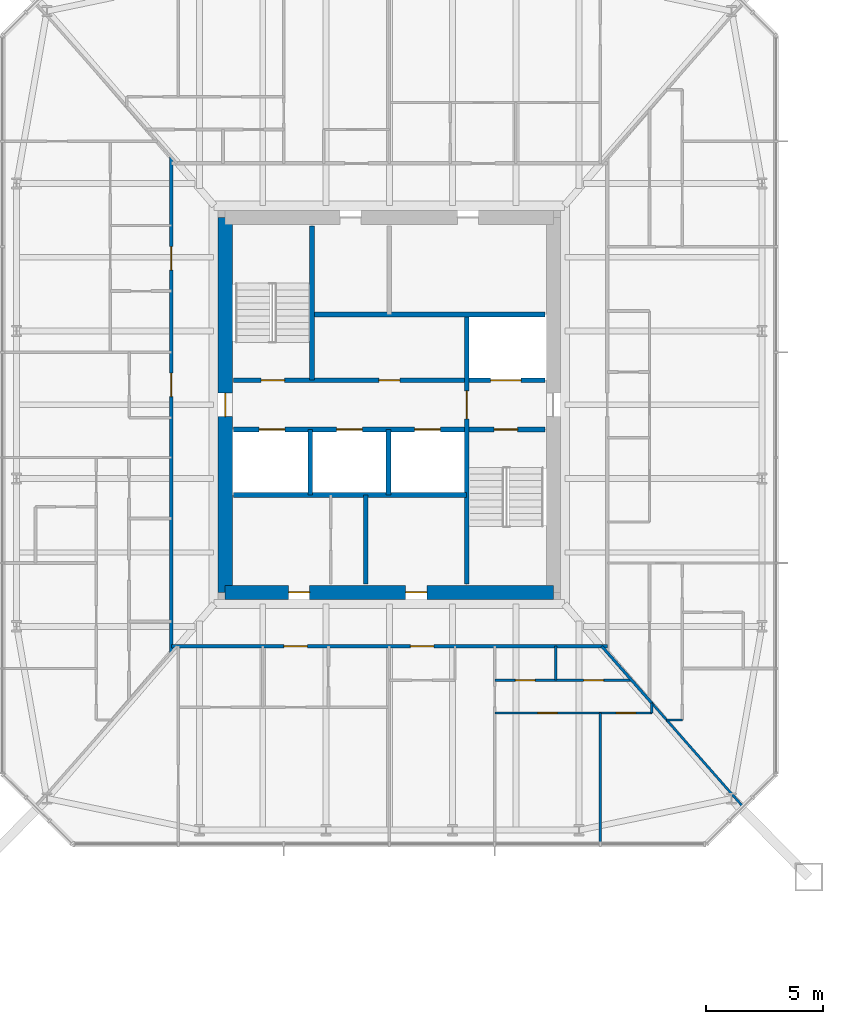
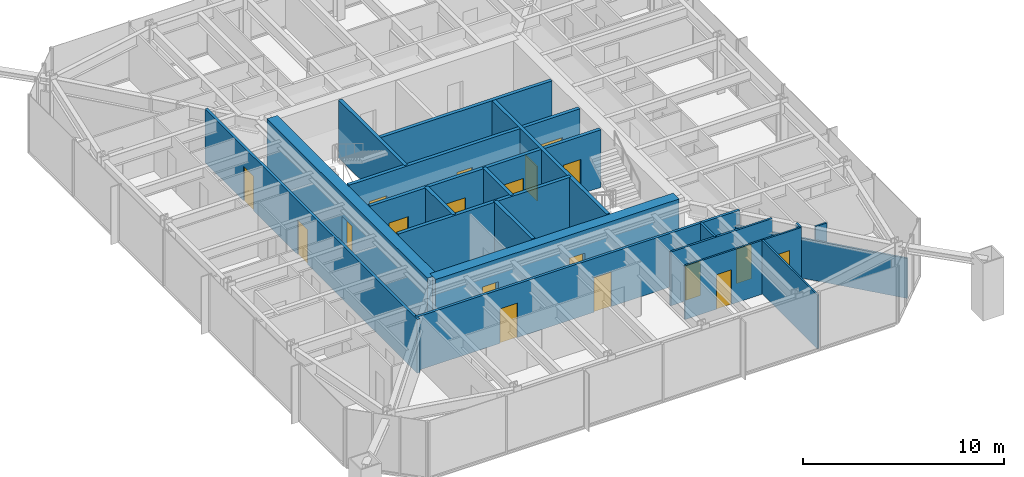
# One storey, part 19 of 26: 21 walls, 19 doors, 19 openings.
"""IFC4 building model written with IfcOpenShell, lengths in metres."""

from ifc_helpers import new_model, si_unit, direction, frame, frame_2d, origin, place, context, subcontext, project, spatial, rectangle, extrude, material, layer, layer_set, type_object, element, fill, save


model = new_model("IFC4")

# Units and contexts
model_context = context("Model", 3, precision=1e-05, world=origin(), true_north=direction((0.0, 1.0)))
body_context = subcontext(model_context, "Body", "Model", "MODEL_VIEW")
ifc_project = project(units=[si_unit("LENGTHUNIT", "METRE"), si_unit("AREAUNIT", "SQUARE_METRE"), si_unit("VOLUMEUNIT", "CUBIC_METRE"), si_unit("PLANEANGLEUNIT", "RADIAN"), si_unit("MASSUNIT", "GRAM", prefix="KILO")], contexts=[model_context])

# Site, building, storey
site_placement = place(None, origin())
site = spatial("IfcSite", under=ifc_project, at=site_placement, CompositionType="ELEMENT")
building_placement = place(site_placement, origin())
building = spatial("IfcBuilding", under=site, at=building_placement, Name="Iwan Alto Co-Living Towers", CompositionType="ELEMENT")
storey_placement = place(building_placement, frame((0.0, 0.0, 67.5)))
storey = spatial("IfcBuildingStorey", under=building, at=storey_placement, Name="L18", CompositionType="ELEMENT", Elevation=67.5)

# Wall, openings, doors
ifc_material_1 = material(Name="Gypsum board")
ifc_layer_1 = layer(ifc_material_1, 0.02490234375, Name="Board", Category="Finish")
ifc_material_2 = material(Name="Steel ASTM A1003 ST33H cold-formed studs", Category="steel")
ifc_layer_2 = layer(ifc_material_2, 0.10009765625, Name="Studs", Category="Framing")
ifc_layer_3 = layer(ifc_material_1, 0.02490234375, Name="Board", Category="Finish")
ifc_layer_set_1 = layer_set([ifc_layer_1, ifc_layer_2, ifc_layer_3], Name="CORRIDOR WALL 150")
wall_type_1 = type_object("IfcWallType", Name="CORRIDOR WALL 150", PredefinedType="PARTITIONING", material=ifc_layer_set_1)
wall_1_placement = place(storey_placement, frame((53.699951171875, -10.300048828125, 0.0), z_axis=(0.0, 0.0, 1.0), x_axis=(1.0, 0.0, 0.0)))
wall_1 = element("IfcWall", 1, at=wall_1_placement, inside=storey, type_object=wall_type_1, Name="Partition L18", PredefinedType="PARTITIONING", context=body_context, shape_type="SweptSolid", body=[
    extrude(rectangle(XDim=18.60009765625, YDim=0.14990234375, at=frame_2d((9.300048828125, 0.0))), origin(), (0.0, 0.0, 1.0), 3.27001953125),
])
opening_1_placement = place(wall_1_placement, frame((4.800048828125, 0.0, 0.0)))
opening_1 = element("IfcOpeningElement", 2, at=opening_1_placement, cuts=wall_1, Name="Opening D3", PredefinedType="OPENING", context=body_context, shape_type="SweptSolid", body=[
    extrude(rectangle(XDim=1.0, YDim=2.10009765625, at=frame_2d((0.5, 1.050048828125))), frame((0.0, 0.0849609375, 0.0), z_axis=(0.0, -1.0, 0.0), x_axis=(1.0, 0.0, 0.0)), (0.0, 0.0, 1.0), 0.169921875),
])
opening_2_placement = place(wall_1_placement, frame((10.199951171875, 0.0, 0.0)))
opening_2 = element("IfcOpeningElement", 3, at=opening_2_placement, cuts=wall_1, Name="Opening D3", PredefinedType="OPENING", context=body_context, shape_type="SweptSolid", body=[
    extrude(rectangle(XDim=1.0, YDim=2.10009765625, at=frame_2d((0.5, 1.050048828125))), frame((0.0, 0.0849609375, 0.0), z_axis=(0.0, -1.0, 0.0), x_axis=(1.0, 0.0, 0.0)), (0.0, 0.0, 1.0), 0.169921875),
])
ifc_material_3 = material(Name="Steel frame with timber leaf", Category="steel")
door_type_1 = type_object("IfcDoorType", Name="FLAT ENTRANCE DOOR FD30S 1000X2100", OperationType="SINGLE_SWING_LEFT", PredefinedType="DOOR", material=ifc_material_3)
door_1_placement = place(opening_1_placement, frame((1.0, 0.0, 0.0), z_axis=(0.0, 0.0, 1.0), x_axis=(-1.0, 0.0, 0.0)))
door_1 = element("IfcDoor", 4, at=door_1_placement, inside=storey, type_object=door_type_1, Name="Apartment foyer door L18", OperationType="SINGLE_SWING_RIGHT", OverallHeight=2.10009765625, OverallWidth=1.0, PredefinedType="DOOR", context=body_context, shape_type="SweptSolid", body=[
    extrude(rectangle(XDim=1.0, YDim=2.10009765625, at=frame_2d((0.5, 1.050048828125))), frame((0.0, 0.02490234375, 0.0), z_axis=(0.0, -1.0, 0.0), x_axis=(1.0, 0.0, 0.0)), (0.0, 0.0, 1.0), 0.050048828125),
])
fill(opening_1, door_1)
door_2_placement = place(opening_2_placement, frame((1.0, 0.0, 0.0), z_axis=(0.0, 0.0, 1.0), x_axis=(-1.0, 0.0, 0.0)))
door_2 = element("IfcDoor", 5, at=door_2_placement, inside=storey, type_object=door_type_1, Name="Apartment foyer door L18", OperationType="SINGLE_SWING_RIGHT", OverallHeight=2.10009765625, OverallWidth=1.0, PredefinedType="DOOR", context=body_context, shape_type="SweptSolid", body=[
    extrude(rectangle(XDim=1.0, YDim=2.10009765625, at=frame_2d((0.5, 1.050048828125))), frame((0.0, 0.02490234375, 0.0), z_axis=(0.0, -1.0, 0.0), x_axis=(1.0, 0.0, 0.0)), (0.0, 0.0, 1.0), 0.050048828125),
])
fill(opening_2, door_2)

wall_2_placement = place(storey_placement, frame((53.699951171875, -10.568115234375, 0.0), z_axis=(0.0, 0.0, 1.0), x_axis=(0.0, 1.0, 0.0)))
wall_2 = element("IfcWall", 6, at=wall_2_placement, inside=storey, type_object=wall_type_1, Name="Partition L18", PredefinedType="PARTITIONING", context=body_context, shape_type="SweptSolid", body=[
    extrude(rectangle(XDim=21.13623046875, YDim=0.14990234375, at=frame_2d((10.568115234375, 0.0))), origin(), (0.0, 0.0, 1.0), 3.27001953125),
])
opening_3_placement = place(wall_2_placement, frame((16.318115234375, 0.0, 0.0)))
opening_3 = element("IfcOpeningElement", 7, at=opening_3_placement, cuts=wall_2, Name="Opening D3", PredefinedType="OPENING", context=body_context, shape_type="SweptSolid", body=[
    extrude(rectangle(XDim=1.0, YDim=2.10009765625, at=frame_2d((0.5, 1.050048828125))), frame((0.0, 0.0849609375, 0.0), z_axis=(0.0, -1.0, 0.0), x_axis=(1.0, 0.0, 0.0)), (0.0, 0.0, 1.0), 0.169921875),
])
opening_4_placement = place(wall_2_placement, frame((10.91796875, 0.0, 0.0)))
opening_4 = element("IfcOpeningElement", 8, at=opening_4_placement, cuts=wall_2, Name="Opening D3", PredefinedType="OPENING", context=body_context, shape_type="SweptSolid", body=[
    extrude(rectangle(XDim=1.0, YDim=2.10009765625, at=frame_2d((0.5, 1.050048828125))), frame((0.0, 0.0849609375, 0.0), z_axis=(0.0, -1.0, 0.0), x_axis=(1.0, 0.0, 0.0)), (0.0, 0.0, 1.0), 0.169921875),
])
door_3_placement = place(opening_3_placement, origin())
door_3 = element("IfcDoor", 9, at=door_3_placement, inside=storey, type_object=door_type_1, Name="Apartment foyer door L18", OperationType="SINGLE_SWING_LEFT", OverallHeight=2.10009765625, OverallWidth=1.0, PredefinedType="DOOR", context=body_context, shape_type="SweptSolid", body=[
    extrude(rectangle(XDim=1.0, YDim=2.10009765625, at=frame_2d((0.5, 1.050048828125))), frame((0.0, 0.02490234375, 0.0), z_axis=(0.0, -1.0, 0.0), x_axis=(1.0, 0.0, 0.0)), (0.0, 0.0, 1.0), 0.050048828125),
])
fill(opening_3, door_3)
door_4_placement = place(opening_4_placement, origin())
door_4 = element("IfcDoor", 10, at=door_4_placement, inside=storey, type_object=door_type_1, Name="Apartment foyer door L18", OperationType="SINGLE_SWING_LEFT", OverallHeight=2.10009765625, OverallWidth=1.0, PredefinedType="DOOR", context=body_context, shape_type="SweptSolid", body=[
    extrude(rectangle(XDim=1.0, YDim=2.10009765625, at=frame_2d((0.5, 1.050048828125))), frame((0.0, 0.02490234375, 0.0), z_axis=(0.0, -1.0, 0.0), x_axis=(1.0, 0.0, 0.0)), (0.0, 0.0, 1.0), 0.050048828125),
])
fill(opening_4, door_4)

# Wall
ifc_layer_4 = layer(ifc_material_1, 0.012451171875, Name="Board", Category="Finish")
ifc_layer_5 = layer(ifc_material_2, 0.074951171875, Name="Studs", Category="Framing")
ifc_layer_6 = layer(ifc_material_1, 0.012451171875, Name="Board", Category="Finish")
ifc_layer_set_2 = layer_set([ifc_layer_4, ifc_layer_5, ifc_layer_6], Name="PARTITION 100")
wall_type_2 = type_object("IfcWallType", Name="PARTITION 100", PredefinedType="PARTITIONING", material=ifc_layer_set_2)
wall_3_placement = place(storey_placement, frame((74.8359375, -13.449951171875, 0.0), z_axis=(0.0, 0.0, 1.0), x_axis=(1.0, 0.0, 0.0)))
element("IfcWall", 11, at=wall_3_placement, inside=storey, type_object=wall_type_2, Name="Partition L18", PredefinedType="PARTITIONING", context=body_context, shape_type="SweptSolid", body=[
    extrude(rectangle(XDim=0.6640625, YDim=0.10009765625, at=frame_2d((0.33203125, 0.0))), origin(), (0.0, 0.0, 1.0), 3.27001953125),
])

# Wall, openings, doors
wall_4_placement = place(storey_placement, frame((67.5, -13.14990234375, 0.0), z_axis=(0.0, 0.0, 1.0), x_axis=(1.0, 0.0, 0.0)))
wall_4 = element("IfcWall", 12, at=wall_4_placement, inside=storey, type_object=wall_type_2, Name="Partition L18", PredefinedType="PARTITIONING", context=body_context, shape_type="SweptSolid", body=[
    extrude(rectangle(XDim=6.699951171875, YDim=0.10009765625, at=frame_2d((3.35009765625, 0.0))), origin(), (0.0, 0.0, 1.0), 3.27001953125),
])
opening_5_placement = place(wall_4_placement, frame((1.824951171875, 0.0, 0.0)))
opening_5 = element("IfcOpeningElement", 13, at=opening_5_placement, cuts=wall_4, Name="Opening D2", PredefinedType="OPENING", context=body_context, shape_type="SweptSolid", body=[
    extrude(rectangle(XDim=0.85009765625, YDim=2.10009765625, at=frame_2d((0.425048828125, 1.050048828125))), frame((0.0, 0.06005859375, 0.0), z_axis=(0.0, -1.0, 0.0), x_axis=(1.0, 0.0, 0.0)), (0.0, 0.0, 1.0), 0.1201171875),
])
opening_6_placement = place(wall_4_placement, frame((5.175048828125, 0.0, 0.0)))
opening_6 = element("IfcOpeningElement", 14, at=opening_6_placement, cuts=wall_4, Name="Opening D2", PredefinedType="OPENING", context=body_context, shape_type="SweptSolid", body=[
    extrude(rectangle(XDim=0.85009765625, YDim=2.10009765625, at=frame_2d((0.425048828125, 1.050048828125))), frame((0.0, 0.06005859375, 0.0), z_axis=(0.0, -1.0, 0.0), x_axis=(1.0, 0.0, 0.0)), (0.0, 0.0, 1.0), 0.1201171875),
])
ifc_material_4 = material(Name="Timber leaf in steel frame", Category="steel")
door_type_2 = type_object("IfcDoorType", Name="ROOM DOOR 850X2100", OperationType="SINGLE_SWING_LEFT", PredefinedType="DOOR", material=ifc_material_4)
door_5_placement = place(opening_5_placement, frame((0.85009765625, 0.0, 0.0), z_axis=(0.0, 0.0, 1.0), x_axis=(-1.0, 0.0, 0.0)))
door_5 = element("IfcDoor", 15, at=door_5_placement, inside=storey, type_object=door_type_2, Name="Study door L18", OperationType="SINGLE_SWING_RIGHT", OverallHeight=2.10009765625, OverallWidth=0.85009765625, PredefinedType="DOOR", context=body_context, shape_type="SweptSolid", body=[
    extrude(rectangle(XDim=0.85009765625, YDim=2.10009765625, at=frame_2d((0.425048828125, 1.050048828125))), frame((0.0, 0.02490234375, 0.0), z_axis=(0.0, -1.0, 0.0), x_axis=(1.0, 0.0, 0.0)), (0.0, 0.0, 1.0), 0.050048828125),
])
fill(opening_5, door_5)
door_6_placement = place(opening_6_placement, frame((0.85009765625, 0.0, 0.0), z_axis=(0.0, 0.0, 1.0), x_axis=(-1.0, 0.0, 0.0)))
door_6 = element("IfcDoor", 16, at=door_6_placement, inside=storey, type_object=door_type_2, Name="Bedroom door L18", OperationType="SINGLE_SWING_RIGHT", OverallHeight=2.10009765625, OverallWidth=0.85009765625, PredefinedType="DOOR", context=body_context, shape_type="SweptSolid", body=[
    extrude(rectangle(XDim=0.85009765625, YDim=2.10009765625, at=frame_2d((0.425048828125, 1.050048828125))), frame((0.0, 0.02490234375, 0.0), z_axis=(0.0, -1.0, 0.0), x_axis=(1.0, 0.0, 0.0)), (0.0, 0.0, 1.0), 0.050048828125),
])
fill(opening_6, door_6)

# Walls
wall_5_placement = place(storey_placement, frame((74.199951171875, -13.14990234375, 0.0), z_axis=(0.0, 0.0, 1.0), x_axis=(0.0, 1.0, 0.0)))
element("IfcWall", 17, at=wall_5_placement, inside=storey, type_object=wall_type_2, Name="Partition L18", PredefinedType="PARTITIONING", context=body_context, shape_type="SweptSolid", body=[
    extrude(rectangle(XDim=0.4228515625, YDim=0.10009765625, at=frame_2d((0.21142578125, 0.0))), origin(), (0.0, 0.0, 1.0), 3.27001953125),
])
wall_6_placement = place(storey_placement, frame((72.0, -18.68994140625, 0.0), z_axis=(0.0, 0.0, 1.0), x_axis=(0.0, 1.0, 0.0)))
element("IfcWall", 18, at=wall_6_placement, inside=storey, type_object=wall_type_2, Name="Partition L18", PredefinedType="PARTITIONING", context=body_context, shape_type="SweptSolid", body=[
    extrude(rectangle(XDim=5.5400390625, YDim=0.10009765625, at=frame_2d((2.77001953125, 0.0))), origin(), (0.0, 0.0, 1.0), 3.27001953125),
])
wall_7_placement = place(storey_placement, frame((78.056884765625, -17.109130859375, 0.0), z_axis=(0.0, 0.0, 1.0), x_axis=(-0.660698595885, 0.750651294141, 0.0)))
element("IfcWall", 19, at=wall_7_placement, inside=storey, type_object=wall_type_2, Name="Partition L18", PredefinedType="PARTITIONING", context=body_context, shape_type="SweptSolid", body=[
    extrude(rectangle(XDim=5.838134765625, YDim=0.10009765625, at=frame_2d((2.9189453125, 0.0))), origin(), (0.0, 0.0, 1.0), 2.42919921875),
])
ifc_material_5 = material(Name="Concrete f'c 70 MPa", Category="concrete")
ifc_layer_7 = layer(ifc_material_5, 0.199951171875)
ifc_layer_set_3 = layer_set([ifc_layer_7], Name="SHAFT WALL 200")
wall_type_3 = type_object("IfcWallType", Name="SHAFT WALL 200", PredefinedType="SOLIDWALL", material=ifc_layer_set_3)
wall_8_placement = place(storey_placement, frame((56.360107421875, -3.85009765625, 0.0), z_axis=(0.0, 0.0, 1.0), x_axis=(1.0, 0.0, 0.0)))
element("IfcWall", 20, at=wall_8_placement, inside=storey, type_object=wall_type_3, Name="Shaft wall L18", PredefinedType="SOLIDWALL", context=body_context, shape_type="SweptSolid", body=[
    extrude(rectangle(XDim=9.93994140625, YDim=0.199951171875, at=frame_2d((4.969970703125, 0.0))), origin(), (0.0, 0.0, 1.0), 3.5),
])

# Wall, openings, doors
wall_9_placement = place(storey_placement, frame((56.360107421875, -1.050048828125, 0.0), z_axis=(0.0, 0.0, 1.0), x_axis=(1.0, 0.0, 0.0)))
wall_9 = element("IfcWall", 21, at=wall_9_placement, inside=storey, type_object=wall_type_3, Name="Shaft wall L18", PredefinedType="SOLIDWALL", context=body_context, shape_type="SweptSolid", body=[
    extrude(rectangle(XDim=13.27978515625, YDim=0.199951171875, at=frame_2d((6.639892578125, 0.0))), origin(), (0.0, 0.0, 1.0), 3.5),
])
opening_7_placement = place(wall_9_placement, frame((11.110107421875, 0.0, 0.0)))
opening_7 = element("IfcOpeningElement", 22, at=opening_7_placement, cuts=wall_9, Name="Opening D5", PredefinedType="OPENING", context=body_context, shape_type="SweptSolid", body=[
    extrude(rectangle(XDim=1.0, YDim=2.10009765625, at=frame_2d((0.5, 1.050048828125))), frame((0.0, 0.10986328125, 0.0), z_axis=(0.0, -1.0, 0.0), x_axis=(1.0, 0.0, 0.0)), (0.0, 0.0, 1.0), 0.219970703125),
])
opening_8_placement = place(wall_9_placement, frame((1.0869140625, 0.0, 0.0)))
opening_8 = element("IfcOpeningElement", 23, at=opening_8_placement, cuts=wall_9, Name="Opening LD", PredefinedType="OPENING", context=body_context, shape_type="SweptSolid", body=[
    extrude(rectangle(XDim=1.10009765625, YDim=2.10009765625, at=frame_2d((0.550048828125, 1.050048828125))), frame((0.0, 0.10986328125, 0.0), z_axis=(0.0, -1.0, 0.0), x_axis=(1.0, 0.0, 0.0)), (0.0, 0.0, 1.0), 0.219970703125),
])
opening_9_placement = place(wall_9_placement, frame((4.389892578125, 0.0, 0.0)))
opening_9 = element("IfcOpeningElement", 24, at=opening_9_placement, cuts=wall_9, Name="Opening LD", PredefinedType="OPENING", context=body_context, shape_type="SweptSolid", body=[
    extrude(rectangle(XDim=1.10009765625, YDim=2.10009765625, at=frame_2d((0.550048828125, 1.050048828125))), frame((0.0, 0.10986328125, 0.0), z_axis=(0.0, -1.0, 0.0), x_axis=(1.0, 0.0, 0.0)), (0.0, 0.0, 1.0), 0.219970703125),
])
opening_10_placement = place(wall_9_placement, frame((7.72412109375, 0.0, 0.0)))
opening_10 = element("IfcOpeningElement", 25, at=opening_10_placement, cuts=wall_9, Name="Opening LD", PredefinedType="OPENING", context=body_context, shape_type="SweptSolid", body=[
    extrude(rectangle(XDim=1.10009765625, YDim=2.10009765625, at=frame_2d((0.550048828125, 1.050048828125))), frame((0.0, 0.10986328125, 0.0), z_axis=(0.0, -1.0, 0.0), x_axis=(1.0, 0.0, 0.0)), (0.0, 0.0, 1.0), 0.219970703125),
])
ifc_material_6 = material(Name="Steel frame with timber leaf", Category="steel")
door_type_3 = type_object("IfcDoorType", Name="LIFT LANDING DOOR 1100X2100", OperationType="DOUBLE_DOOR_SLIDING", PredefinedType="DOOR", material=ifc_material_6)
door_7_placement = place(opening_8_placement, origin())
door_7 = element("IfcDoor", 26, at=door_7_placement, inside=storey, type_object=door_type_3, Name="Lift P5-1 landing door L18", OperationType="DOUBLE_DOOR_SLIDING", OverallHeight=2.10009765625, OverallWidth=1.10009765625, PredefinedType="DOOR", context=body_context, shape_type="SweptSolid", body=[
    extrude(rectangle(XDim=1.10009765625, YDim=2.10009765625, at=frame_2d((0.550048828125, 1.050048828125))), frame((0.0, 0.02490234375, 0.0), z_axis=(0.0, -1.0, 0.0), x_axis=(1.0, 0.0, 0.0)), (0.0, 0.0, 1.0), 0.050048828125),
])
fill(opening_8, door_7)
door_8_placement = place(opening_9_placement, origin())
door_8 = element("IfcDoor", 27, at=door_8_placement, inside=storey, type_object=door_type_3, Name="Lift P5-2 landing door L18", OperationType="DOUBLE_DOOR_SLIDING", OverallHeight=2.10009765625, OverallWidth=1.10009765625, PredefinedType="DOOR", context=body_context, shape_type="SweptSolid", body=[
    extrude(rectangle(XDim=1.10009765625, YDim=2.10009765625, at=frame_2d((0.550048828125, 1.050048828125))), frame((0.0, 0.02490234375, 0.0), z_axis=(0.0, -1.0, 0.0), x_axis=(1.0, 0.0, 0.0)), (0.0, 0.0, 1.0), 0.050048828125),
])
fill(opening_9, door_8)
door_9_placement = place(opening_10_placement, origin())
door_9 = element("IfcDoor", 28, at=door_9_placement, inside=storey, type_object=door_type_3, Name="Lift P6-3 landing door L18", OperationType="DOUBLE_DOOR_SLIDING", OverallHeight=2.10009765625, OverallWidth=1.10009765625, PredefinedType="DOOR", context=body_context, shape_type="SweptSolid", body=[
    extrude(rectangle(XDim=1.10009765625, YDim=2.10009765625, at=frame_2d((0.550048828125, 1.050048828125))), frame((0.0, 0.02490234375, 0.0), z_axis=(0.0, -1.0, 0.0), x_axis=(1.0, 0.0, 0.0)), (0.0, 0.0, 1.0), 0.050048828125),
])
fill(opening_10, door_9)
ifc_material_7 = material(Name="Steel frame with timber leaf", Category="steel")
door_type_4 = type_object("IfcDoorType", Name="STAIR DOOR FD120S 1000X2100", OperationType="SINGLE_SWING_LEFT", PredefinedType="DOOR", material=ifc_material_7)
door_10_placement = place(opening_7_placement, frame((1.0, 0.0, 0.0), z_axis=(0.0, 0.0, 1.0), x_axis=(-1.0, 0.0, 0.0)))
door_10 = element("IfcDoor", 29, at=door_10_placement, inside=storey, type_object=door_type_4, Name="Stair S2 door L18", OperationType="SINGLE_SWING_RIGHT", OverallHeight=2.10009765625, OverallWidth=1.0, PredefinedType="DOOR", context=body_context, shape_type="SweptSolid", body=[
    extrude(rectangle(XDim=1.0, YDim=2.10009765625, at=frame_2d((0.5, 1.050048828125))), frame((0.0, 0.02490234375, 0.0), z_axis=(0.0, -1.0, 0.0), x_axis=(1.0, 0.0, 0.0)), (0.0, 0.0, 1.0), 0.050048828125),
])
fill(opening_7, door_10)

wall_10_placement = place(storey_placement, frame((56.360107421875, 1.050048828125, 0.0), z_axis=(0.0, 0.0, 1.0), x_axis=(1.0, 0.0, 0.0)))
wall_10 = element("IfcWall", 30, at=wall_10_placement, inside=storey, type_object=wall_type_3, Name="Shaft wall L18", PredefinedType="SOLIDWALL", context=body_context, shape_type="SweptSolid", body=[
    extrude(rectangle(XDim=13.27978515625, YDim=0.199951171875, at=frame_2d((6.639892578125, 0.0))), origin(), (0.0, 0.0, 1.0), 3.5),
])
opening_11_placement = place(wall_10_placement, frame((1.169921875, 0.0, 0.0)))
opening_11 = element("IfcOpeningElement", 31, at=opening_11_placement, cuts=wall_10, Name="Opening D5", PredefinedType="OPENING", context=body_context, shape_type="SweptSolid", body=[
    extrude(rectangle(XDim=1.0, YDim=2.10009765625, at=frame_2d((0.5, 1.050048828125))), frame((0.0, 0.10986328125, 0.0), z_axis=(0.0, -1.0, 0.0), x_axis=(1.0, 0.0, 0.0)), (0.0, 0.0, 1.0), 0.219970703125),
])
opening_12_placement = place(wall_10_placement, frame((6.18994140625, 0.0, 0.0)))
opening_12 = element("IfcOpeningElement", 32, at=opening_12_placement, cuts=wall_10, Name="Opening D8", PredefinedType="OPENING", context=body_context, shape_type="SweptSolid", body=[
    extrude(rectangle(XDim=0.89990234375, YDim=2.10009765625, at=frame_2d((0.449951171875, 1.050048828125))), frame((0.0, 0.10986328125, 0.0), z_axis=(0.0, -1.0, 0.0), x_axis=(1.0, 0.0, 0.0)), (0.0, 0.0, 1.0), 0.219970703125),
])
opening_13_placement = place(wall_10_placement, frame((10.9599609375, 0.0, 0.0)))
opening_13 = element("IfcOpeningElement", 33, at=opening_13_placement, cuts=wall_10, Name="Opening LD2", PredefinedType="OPENING", context=body_context, shape_type="SweptSolid", body=[
    extrude(rectangle(XDim=1.300048828125, YDim=2.10009765625, at=frame_2d((0.64990234375, 1.050048828125))), frame((0.0, 0.10986328125, 0.0), z_axis=(0.0, -1.0, 0.0), x_axis=(1.0, 0.0, 0.0)), (0.0, 0.0, 1.0), 0.219970703125),
])
ifc_material_8 = material(Name="Steel frame with timber leaf", Category="steel")
door_type_5 = type_object("IfcDoorType", Name="LIFT LANDING DOOR 1300X2100", OperationType="SLIDING_TO_LEFT", PredefinedType="DOOR", material=ifc_material_8)
door_11_placement = place(opening_13_placement, origin())
door_11 = element("IfcDoor", 34, at=door_11_placement, inside=storey, type_object=door_type_5, Name="Lift FL2 landing door L18", OperationType="SLIDING_TO_LEFT", OverallHeight=2.10009765625, OverallWidth=1.300048828125, PredefinedType="DOOR", context=body_context, shape_type="SweptSolid", body=[
    extrude(rectangle(XDim=1.300048828125, YDim=2.10009765625, at=frame_2d((0.64990234375, 1.050048828125))), frame((0.0, 0.02490234375, 0.0), z_axis=(0.0, -1.0, 0.0), x_axis=(1.0, 0.0, 0.0)), (0.0, 0.0, 1.0), 0.050048828125),
])
fill(opening_13, door_11)
ifc_material_9 = material(Name="Steel frame with timber leaf", Category="steel")
door_type_6 = type_object("IfcDoorType", Name="RISER DOOR FD120 900X2100", OperationType="SINGLE_SWING_LEFT", PredefinedType="DOOR", material=ifc_material_9)
door_12_placement = place(opening_12_placement, origin())
door_12 = element("IfcDoor", 35, at=door_12_placement, inside=storey, type_object=door_type_6, Name="Riser room door L18", OperationType="SINGLE_SWING_LEFT", OverallHeight=2.10009765625, OverallWidth=0.89990234375, PredefinedType="DOOR", context=body_context, shape_type="SweptSolid", body=[
    extrude(rectangle(XDim=0.89990234375, YDim=2.10009765625, at=frame_2d((0.449951171875, 1.050048828125))), frame((0.0, 0.02490234375, 0.0), z_axis=(0.0, -1.0, 0.0), x_axis=(1.0, 0.0, 0.0)), (0.0, 0.0, 1.0), 0.050048828125),
])
fill(opening_12, door_12)
door_13_placement = place(opening_11_placement, origin())
door_13 = element("IfcDoor", 36, at=door_13_placement, inside=storey, type_object=door_type_4, Name="Stair S1 door L18", OperationType="SINGLE_SWING_RIGHT", OverallHeight=2.10009765625, OverallWidth=1.0, PredefinedType="DOOR", context=body_context, shape_type="SweptSolid", body=[
    extrude(rectangle(XDim=1.0, YDim=2.10009765625, at=frame_2d((0.5, 1.050048828125))), frame((0.0, 0.02490234375, 0.0), z_axis=(0.0, -1.0, 0.0), x_axis=(1.0, 0.0, 0.0)), (0.0, 0.0, 1.0), 0.050048828125),
])
fill(opening_11, door_13)

# Wall
wall_11_placement = place(storey_placement, frame((59.699951171875, 3.85009765625, 0.0), z_axis=(0.0, 0.0, 1.0), x_axis=(1.0, 0.0, 0.0)))
element("IfcWall", 37, at=wall_11_placement, inside=storey, type_object=wall_type_3, Name="Shaft wall L18", PredefinedType="SOLIDWALL", context=body_context, shape_type="SweptSolid", body=[
    extrude(rectangle(XDim=9.93994140625, YDim=0.199951171875, at=frame_2d((4.969970703125, 0.0))), origin(), (0.0, 0.0, 1.0), 3.5),
])

# Wall, opening, door
wall_12_placement = place(storey_placement, frame((66.300048828125, -7.639892578125, 0.0), z_axis=(0.0, 0.0, 1.0), x_axis=(0.0, 1.0, 0.0)))
wall_12 = element("IfcWall", 38, at=wall_12_placement, inside=storey, type_object=wall_type_3, Name="Shaft wall L18", PredefinedType="SOLIDWALL", context=body_context, shape_type="SweptSolid", body=[
    extrude(rectangle(XDim=11.489990234375, YDim=0.199951171875, at=frame_2d((5.7451171875, 0.0))), origin(), (0.0, 0.0, 1.0), 3.5),
])
opening_14_placement = place(wall_12_placement, frame((7.0400390625, 0.0, 0.0)))
opening_14 = element("IfcOpeningElement", 39, at=opening_14_placement, cuts=wall_12, Name="Opening D6", PredefinedType="OPENING", context=body_context, shape_type="SweptSolid", body=[
    extrude(rectangle(XDim=1.199951171875, YDim=2.10009765625, at=frame_2d((0.60009765625, 1.050048828125))), frame((0.0, 0.10986328125, 0.0), z_axis=(0.0, -1.0, 0.0), x_axis=(1.0, 0.0, 0.0)), (0.0, 0.0, 1.0), 0.219970703125),
])
ifc_material_10 = material(Name="Steel frame with timber leaf", Category="steel")
door_type_7 = type_object("IfcDoorType", Name="LOBBY DOOR FD120S 1200X2100", OperationType="SINGLE_SWING_LEFT", PredefinedType="DOOR", material=ifc_material_10)
door_14_placement = place(opening_14_placement, frame((1.199951171875, 0.0, 0.0), z_axis=(0.0, 0.0, 1.0), x_axis=(-1.0, 0.0, 0.0)))
door_14 = element("IfcDoor", 40, at=door_14_placement, inside=storey, type_object=door_type_7, Name="Firefighting lobby door L18", OperationType="SINGLE_SWING_RIGHT", OverallHeight=2.10009765625, OverallWidth=1.199951171875, PredefinedType="DOOR", context=body_context, shape_type="SweptSolid", body=[
    extrude(rectangle(XDim=1.199951171875, YDim=2.10009765625, at=frame_2d((0.60009765625, 1.050048828125))), frame((0.0, 0.02490234375, 0.0), z_axis=(0.0, -1.0, 0.0), x_axis=(1.0, 0.0, 0.0)), (0.0, 0.0, 1.0), 0.050048828125),
])
fill(opening_14, door_14)

# Walls
wall_13_placement = place(storey_placement, frame((62.967041015625, -3.85009765625, 0.0), z_axis=(0.0, 0.0, 1.0), x_axis=(0.0, 1.0, 0.0)))
element("IfcWall", 41, at=wall_13_placement, inside=storey, type_object=wall_type_3, Name="Shaft wall L18", PredefinedType="SOLIDWALL", context=body_context, shape_type="SweptSolid", body=[
    extrude(rectangle(XDim=2.800048828125, YDim=0.199951171875, at=frame_2d((1.39990234375, 0.0))), origin(), (0.0, 0.0, 1.0), 3.5),
])
wall_14_placement = place(storey_placement, frame((62.0, -7.639892578125, 0.0), z_axis=(0.0, 0.0, 1.0), x_axis=(0.0, 1.0, 0.0)))
element("IfcWall", 42, at=wall_14_placement, inside=storey, type_object=wall_type_3, Name="Shaft wall L18", PredefinedType="SOLIDWALL", context=body_context, shape_type="SweptSolid", body=[
    extrude(rectangle(XDim=3.789794921875, YDim=0.199951171875, at=frame_2d((1.89501953125, 0.0))), origin(), (0.0, 0.0, 1.0), 3.5),
])
wall_15_placement = place(storey_placement, frame((59.699951171875, 1.050048828125, 0.0), z_axis=(0.0, 0.0, 1.0), x_axis=(0.0, 1.0, 0.0)))
element("IfcWall", 43, at=wall_15_placement, inside=storey, type_object=wall_type_3, Name="Shaft wall L18", PredefinedType="SOLIDWALL", context=body_context, shape_type="SweptSolid", body=[
    extrude(rectangle(XDim=6.58984375, YDim=0.199951171875, at=frame_2d((3.294921875, 0.0))), origin(), (0.0, 0.0, 1.0), 3.5),
])
wall_16_placement = place(storey_placement, frame((59.633056640625, -3.85009765625, 0.0), z_axis=(0.0, 0.0, 1.0), x_axis=(0.0, 1.0, 0.0)))
element("IfcWall", 44, at=wall_16_placement, inside=storey, type_object=wall_type_3, Name="Shaft wall L18", PredefinedType="SOLIDWALL", context=body_context, shape_type="SweptSolid", body=[
    extrude(rectangle(XDim=2.800048828125, YDim=0.199951171875, at=frame_2d((1.39990234375, 0.0))), origin(), (0.0, 0.0, 1.0), 3.5),
])

# Wall, openings, doors
ifc_material_11 = material(Name="Concrete f'c 70 MPa", Category="concrete")
ifc_layer_8 = layer(ifc_material_11, 0.60009765625)
ifc_layer_set_4 = layer_set([ifc_layer_8], Name="T2 CORE WALL 600")
wall_type_4 = type_object("IfcWallType", Name="T2 CORE WALL 600", PredefinedType="SHEAR", material=ifc_layer_set_4)
wall_17_placement = place(storey_placement, frame((56.0, -8.0, 0.0), z_axis=(0.0, 0.0, 1.0), x_axis=(1.0, 0.0, 0.0)))
wall_17 = element("IfcWall", 45, at=wall_17_placement, inside=storey, type_object=wall_type_4, Name="T2 core wall S L18", PredefinedType="SHEAR", context=body_context, shape_type="SweptSolid", body=[
    extrude(rectangle(XDim=14.0, YDim=0.60009765625, at=frame_2d((7.0, 0.0))), origin(), (0.0, 0.0, 1.0), 3.5),
])
opening_15_placement = place(wall_17_placement, frame((2.699951171875, 0.0, 0.0)))
opening_15 = element("IfcOpeningElement", 46, at=opening_15_placement, cuts=wall_17, Name="Opening D8", PredefinedType="OPENING", context=body_context, shape_type="SweptSolid", body=[
    extrude(rectangle(XDim=0.89990234375, YDim=2.10009765625, at=frame_2d((0.449951171875, 1.050048828125))), frame((0.0, 0.31005859375, 0.0), z_axis=(0.0, -1.0, 0.0), x_axis=(1.0, 0.0, 0.0)), (0.0, 0.0, 1.0), 0.6201171875),
])
opening_16_placement = place(wall_17_placement, frame((7.699951171875, 0.0, 0.0)))
opening_16 = element("IfcOpeningElement", 47, at=opening_16_placement, cuts=wall_17, Name="Opening D8", PredefinedType="OPENING", context=body_context, shape_type="SweptSolid", body=[
    extrude(rectangle(XDim=0.89990234375, YDim=2.10009765625, at=frame_2d((0.449951171875, 1.050048828125))), frame((0.0, 0.31005859375, 0.0), z_axis=(0.0, -1.0, 0.0), x_axis=(1.0, 0.0, 0.0)), (0.0, 0.0, 1.0), 0.6201171875),
])
door_15_placement = place(opening_15_placement, origin())
door_15 = element("IfcDoor", 48, at=door_15_placement, inside=storey, type_object=door_type_6, Name="Refuse room core door L18", OperationType="SINGLE_SWING_RIGHT", OverallHeight=2.10009765625, OverallWidth=0.89990234375, PredefinedType="DOOR", context=body_context, shape_type="SweptSolid", body=[
    extrude(rectangle(XDim=0.89990234375, YDim=2.10009765625, at=frame_2d((0.449951171875, 1.050048828125))), frame((0.0, 0.02490234375, 0.0), z_axis=(0.0, -1.0, 0.0), x_axis=(1.0, 0.0, 0.0)), (0.0, 0.0, 1.0), 0.050048828125),
])
fill(opening_15, door_15)
door_16_placement = place(opening_16_placement, origin())
door_16 = element("IfcDoor", 49, at=door_16_placement, inside=storey, type_object=door_type_6, Name="Telecom riser core door L18", OperationType="SINGLE_SWING_LEFT", OverallHeight=2.10009765625, OverallWidth=0.89990234375, PredefinedType="DOOR", context=body_context, shape_type="SweptSolid", body=[
    extrude(rectangle(XDim=0.89990234375, YDim=2.10009765625, at=frame_2d((0.449951171875, 1.050048828125))), frame((0.0, 0.02490234375, 0.0), z_axis=(0.0, -1.0, 0.0), x_axis=(1.0, 0.0, 0.0)), (0.0, 0.0, 1.0), 0.050048828125),
])
fill(opening_16, door_16)

# Wall, opening, door
wall_18_placement = place(storey_placement, frame((56.0, 8.0, 0.0), z_axis=(0.0, 0.0, 1.0), x_axis=(0.0, -1.0, 0.0)))
wall_18 = element("IfcWall", 50, at=wall_18_placement, inside=storey, type_object=wall_type_4, Name="T2 core wall W L18", PredefinedType="SHEAR", context=body_context, shape_type="SweptSolid", body=[
    extrude(rectangle(XDim=16.0, YDim=0.60009765625, at=frame_2d((8.0, 0.0))), origin(), (0.0, 0.0, 1.0), 3.5),
])
opening_17_placement = place(wall_18_placement, frame((7.5, 0.0, 0.0)))
opening_17 = element("IfcOpeningElement", 51, at=opening_17_placement, cuts=wall_18, Name="Opening D7", PredefinedType="OPENING", context=body_context, shape_type="SweptSolid", body=[
    extrude(rectangle(XDim=1.0, YDim=2.10009765625, at=frame_2d((0.5, 1.050048828125))), frame((0.0, 0.31005859375, 0.0), z_axis=(0.0, -1.0, 0.0), x_axis=(1.0, 0.0, 0.0)), (0.0, 0.0, 1.0), 0.6201171875),
])
ifc_material_12 = material(Name="Steel frame with timber leaf", Category="steel")
door_type_8 = type_object("IfcDoorType", Name="CORE DOOR FD120S 1000X2100", OperationType="SINGLE_SWING_LEFT", PredefinedType="DOOR", material=ifc_material_12)
door_17_placement = place(opening_17_placement, origin())
door_17 = element("IfcDoor", 52, at=door_17_placement, inside=storey, type_object=door_type_8, Name="Lift lobby core door L18", OperationType="SINGLE_SWING_RIGHT", OverallHeight=2.10009765625, OverallWidth=1.0, PredefinedType="DOOR", context=body_context, shape_type="SweptSolid", body=[
    extrude(rectangle(XDim=1.0, YDim=2.10009765625, at=frame_2d((0.5, 1.050048828125))), frame((0.0, 0.02490234375, 0.0), z_axis=(0.0, -1.0, 0.0), x_axis=(1.0, 0.0, 0.0)), (0.0, 0.0, 1.0), 0.050048828125),
])
fill(opening_17, door_17)

# Wall, openings, doors
ifc_material_13 = material(Name="Cement board")
ifc_layer_9 = layer(ifc_material_13, 0.012451171875, Name="Board", Category="Finish")
ifc_layer_10 = layer(ifc_material_2, 0.094970703125, Name="Studs", Category="Framing")
ifc_layer_11 = layer(ifc_material_13, 0.012451171875, Name="Board", Category="Finish")
ifc_layer_set_5 = layer_set([ifc_layer_9, ifc_layer_10, ifc_layer_11], Name="WET AREA PARTITION 120")
wall_type_5 = type_object("IfcWallType", Name="WET AREA PARTITION 120", PredefinedType="PARTITIONING", material=ifc_layer_set_5)
wall_19_placement = place(storey_placement, frame((67.5, -11.75, 0.0), z_axis=(0.0, 0.0, 1.0), x_axis=(1.0, 0.0, 0.0)))
wall_19 = element("IfcWall", 53, at=wall_19_placement, inside=storey, type_object=wall_type_5, Name="Partition L18", PredefinedType="PARTITIONING", context=body_context, shape_type="SweptSolid", body=[
    extrude(rectangle(XDim=5.840087890625, YDim=0.1201171875, at=frame_2d((2.919921875, 0.0))), origin(), (0.0, 0.0, 1.0), 3.27001953125),
])
opening_18_placement = place(wall_19_placement, frame((0.875, 0.0, 0.0)))
opening_18 = element("IfcOpeningElement", 54, at=opening_18_placement, cuts=wall_19, Name="Opening D2", PredefinedType="OPENING", context=body_context, shape_type="SweptSolid", body=[
    extrude(rectangle(XDim=0.85009765625, YDim=2.10009765625, at=frame_2d((0.425048828125, 1.050048828125))), frame((0.0, 0.070068359375, 0.0), z_axis=(0.0, -1.0, 0.0), x_axis=(1.0, 0.0, 0.0)), (0.0, 0.0, 1.0), 0.14013671875),
])
opening_19_placement = place(wall_19_placement, frame((3.794921875, 0.0, 0.0)))
opening_19 = element("IfcOpeningElement", 55, at=opening_19_placement, cuts=wall_19, Name="Opening D2", PredefinedType="OPENING", context=body_context, shape_type="SweptSolid", body=[
    extrude(rectangle(XDim=0.85009765625, YDim=2.10009765625, at=frame_2d((0.425048828125, 1.050048828125))), frame((0.0, 0.070068359375, 0.0), z_axis=(0.0, -1.0, 0.0), x_axis=(1.0, 0.0, 0.0)), (0.0, 0.0, 1.0), 0.14013671875),
])
door_18_placement = place(opening_18_placement, origin())
door_18 = element("IfcDoor", 56, at=door_18_placement, inside=storey, type_object=door_type_2, Name="Shower room door L18", OperationType="SINGLE_SWING_LEFT", OverallHeight=2.10009765625, OverallWidth=0.85009765625, PredefinedType="DOOR", context=body_context, shape_type="SweptSolid", body=[
    extrude(rectangle(XDim=0.85009765625, YDim=2.10009765625, at=frame_2d((0.425048828125, 1.050048828125))), frame((0.0, 0.02490234375, 0.0), z_axis=(0.0, -1.0, 0.0), x_axis=(1.0, 0.0, 0.0)), (0.0, 0.0, 1.0), 0.050048828125),
])
fill(opening_18, door_18)
door_19_placement = place(opening_19_placement, origin())
door_19 = element("IfcDoor", 57, at=door_19_placement, inside=storey, type_object=door_type_2, Name="Utility room door L18", OperationType="SINGLE_SWING_RIGHT", OverallHeight=2.10009765625, OverallWidth=0.85009765625, PredefinedType="DOOR", context=body_context, shape_type="SweptSolid", body=[
    extrude(rectangle(XDim=0.85009765625, YDim=2.10009765625, at=frame_2d((0.425048828125, 1.050048828125))), frame((0.0, 0.02490234375, 0.0), z_axis=(0.0, -1.0, 0.0), x_axis=(1.0, 0.0, 0.0)), (0.0, 0.0, 1.0), 0.050048828125),
])
fill(opening_19, door_19)

# Walls
wall_20_placement = place(storey_placement, frame((70.10009765625, -11.75, 0.0), z_axis=(0.0, 0.0, 1.0), x_axis=(0.0, 1.0, 0.0)))
element("IfcWall", 58, at=wall_20_placement, inside=storey, type_object=wall_type_5, Name="Partition L18", PredefinedType="PARTITIONING", context=body_context, shape_type="SweptSolid", body=[
    extrude(rectangle(XDim=1.449951171875, YDim=0.1201171875, at=frame_2d((0.72509765625, 0.0))), origin(), (0.0, 0.0, 1.0), 3.27001953125),
])
wall_21_placement = place(storey_placement, frame((74.199951171875, -12.72705078125, 0.0), z_axis=(0.0, 0.0, 1.0), x_axis=(-0.660667046586, 0.75067906162, 0.0)))
element("IfcWall", 59, at=wall_21_placement, inside=storey, type_object=wall_type_5, Name="Partition L18", PredefinedType="PARTITIONING", context=body_context, shape_type="SweptSolid", body=[
    extrude(rectangle(XDim=3.233154296875, YDim=0.1201171875, at=frame_2d((1.61669921875, 0.0))), origin(), (0.0, 0.0, 1.0), 2.42919921875),
])

save(model, "model.ifc")
